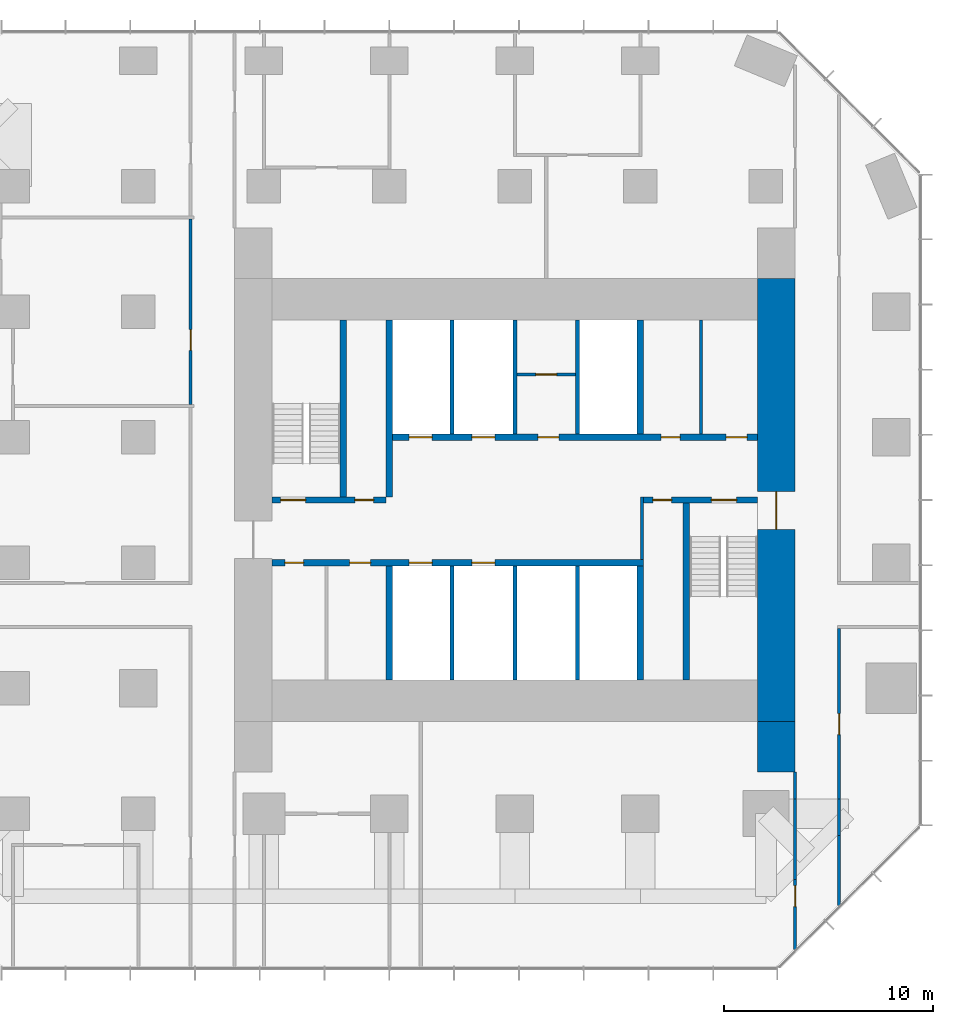
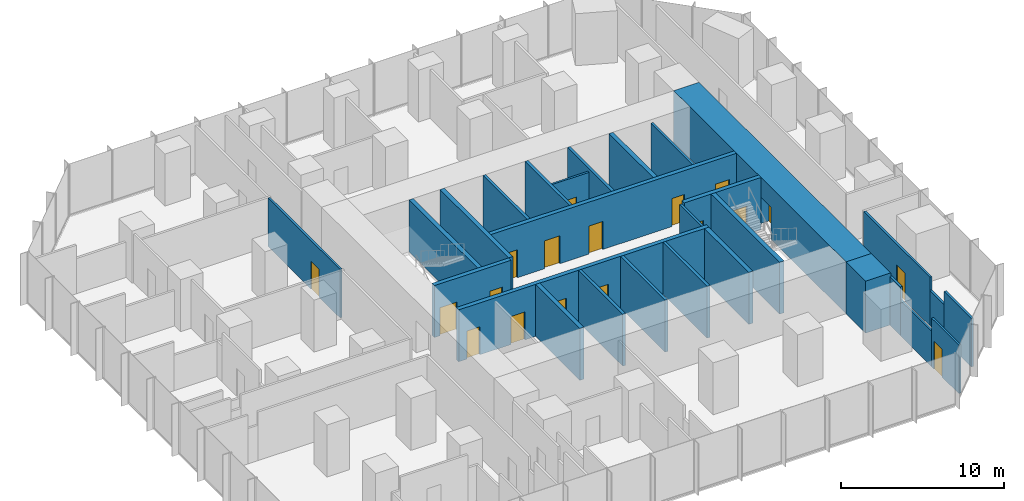
# One storey, part 9 of 11: 28 walls, 18 doors, 18 openings.
"""IFC4 building model written with IfcOpenShell, lengths in metres."""

from ifc_helpers import new_model, si_unit, direction, frame, frame_2d, origin, place, context, subcontext, project, spatial, rectangle, extrude, material, layer, layer_set, type_object, element, fill, save


model = new_model("IFC4")

# Units and contexts
model_context = context("Model", 3, precision=1e-05, world=origin(), true_north=direction((0.0, 1.0)))
body_context = subcontext(model_context, "Body", "Model", "MODEL_VIEW")
ifc_project = project(units=[si_unit("LENGTHUNIT", "METRE"), si_unit("AREAUNIT", "SQUARE_METRE"), si_unit("VOLUMEUNIT", "CUBIC_METRE"), si_unit("PLANEANGLEUNIT", "RADIAN"), si_unit("MASSUNIT", "GRAM", prefix="KILO")], contexts=[model_context])

# Site, building, storey
site_placement = place(None, origin())
site = spatial("IfcSite", under=ifc_project, at=site_placement, CompositionType="ELEMENT")
building_placement = place(site_placement, origin())
building = spatial("IfcBuilding", under=site, at=building_placement, Name="Highveld Stack Headquarters", CompositionType="ELEMENT")
storey_placement = place(building_placement, frame((0.0, 0.0, 132.800048828125)))
storey = spatial("IfcBuildingStorey", under=building, at=storey_placement, Name="L32", CompositionType="ELEMENT", Elevation=132.800048828125)

# Wall, opening, door
ifc_material_1 = material(Name="Concrete C60/75", Category="concrete")
ifc_layer_1 = layer(ifc_material_1, 1.800048828125)
ifc_layer_set_1 = layer_set([ifc_layer_1], Name="Concrete C60/75")
wall_type_1 = type_object("IfcWallType", Name="CORE WALL 1800 C60/75", PredefinedType="SHEAR", material=ifc_layer_set_1)
wall_1_placement = place(storey_placement, frame((18.5, -7.60009765625, 0.0), z_axis=(0.0, 0.0, 1.0), x_axis=(0.0, 1.0, 0.0)))
wall_1 = element("IfcWall", 1, at=wall_1_placement, inside=storey, type_object=wall_type_1, Name="Core wall E L32", PredefinedType="SHEAR", context=body_context, shape_type="SweptSolid", body=[
    extrude(rectangle(XDim=21.2001953125, YDim=1.800048828125, at=frame_2d((10.60009765625, 0.0))), origin(), (0.0, 0.0, 1.0), 3.89990234375),
])
opening_1_placement = place(wall_1_placement, frame((9.199951171875, 0.0, 0.0)))
opening_1 = element("IfcOpeningElement", 2, at=opening_1_placement, cuts=wall_1, Name="Opening L32-02", PredefinedType="OPENING", context=body_context, shape_type="SweptSolid", body=[
    extrude(rectangle(XDim=1.800048828125, YDim=2.39990234375, at=frame_2d((0.89990234375, 1.199951171875))), frame((0.0, 0.909912109375, 0.0), z_axis=(0.0, -1.0, 0.0), x_axis=(1.0, 0.0, 0.0)), (0.0, 0.0, 1.0), 1.820068359375),
])
ifc_material_2 = material(Name="Steel fire door", Category="steel")
door_type_1 = type_object("IfcDoorType", Name="LOBBY FIRE DOOR D4 1800x2400", OperationType="DOUBLE_DOOR_SINGLE_SWING", PredefinedType="DOOR", material=ifc_material_2)
door_1_placement = place(opening_1_placement, origin())
door_1 = element("IfcDoor", 3, at=door_1_placement, inside=storey, type_object=door_type_1, Name="Core east door L32", OperationType="DOUBLE_DOOR_SINGLE_SWING", OverallHeight=2.39990234375, OverallWidth=1.800048828125, PredefinedType="DOOR", context=body_context, shape_type="SweptSolid", body=[
    extrude(rectangle(XDim=1.800048828125, YDim=2.39990234375, at=frame_2d((0.89990234375, 1.199951171875))), frame((0.0, 0.02490234375, 0.0), z_axis=(0.0, -1.0, 0.0), x_axis=(1.0, 0.0, 0.0)), (0.0, 0.0, 1.0), 0.050048828125),
])
fill(opening_1, door_1)

# Wall, openings, doors
ifc_material_3 = material(Name="Concrete C60/75", Category="concrete")
ifc_layer_2 = layer(ifc_material_3, 0.300048828125)
ifc_layer_set_2 = layer_set([ifc_layer_2], Name="Concrete C60/75")
wall_type_2 = type_object("IfcWallType", Name="CORE WALL 300 C60/75", PredefinedType="SHEAR", material=ifc_layer_set_2)
wall_2_placement = place(storey_placement, frame((-5.60009765625, 0.0, 0.0), z_axis=(0.0, 0.0, 1.0), x_axis=(1.0, 0.0, 0.0)))
wall_2 = element("IfcWall", 4, at=wall_2_placement, inside=storey, type_object=wall_type_2, Name="Core wall I-Y0 L32", PredefinedType="SHEAR", context=body_context, shape_type="SweptSolid", body=[
    extrude(rectangle(XDim=17.75, YDim=0.300048828125, at=frame_2d((8.875, 0.0))), origin(), (0.0, 0.0, 1.0), 3.89990234375),
])
opening_2_placement = place(wall_2_placement, frame((0.60009765625, 0.0, 0.0)))
opening_2 = element("IfcOpeningElement", 5, at=opening_2_placement, cuts=wall_2, Name="Opening L32-07", PredefinedType="OPENING", context=body_context, shape_type="SweptSolid", body=[
    extrude(rectangle(XDim=0.89990234375, YDim=2.10009765625, at=frame_2d((0.449951171875, 1.050048828125))), frame((0.0, 0.159912109375, 0.0), z_axis=(0.0, -1.0, 0.0), x_axis=(1.0, 0.0, 0.0)), (0.0, 0.0, 1.0), 0.320068359375),
])
opening_3_placement = place(wall_2_placement, frame((3.699951171875, 0.0, 0.0)))
opening_3 = element("IfcOpeningElement", 6, at=opening_3_placement, cuts=wall_2, Name="Opening L32-08", PredefinedType="OPENING", context=body_context, shape_type="SweptSolid", body=[
    extrude(rectangle(XDim=1.0, YDim=2.10009765625, at=frame_2d((0.5, 1.050048828125))), frame((0.0, 0.159912109375, 0.0), z_axis=(0.0, -1.0, 0.0), x_axis=(1.0, 0.0, 0.0)), (0.0, 0.0, 1.0), 0.320068359375),
])
opening_4_placement = place(wall_2_placement, frame((6.550048828125, 0.0, 0.0)))
opening_4 = element("IfcOpeningElement", 7, at=opening_4_placement, cuts=wall_2, Name="Opening LD", PredefinedType="OPENING", context=body_context, shape_type="SweptSolid", body=[
    extrude(rectangle(XDim=1.10009765625, YDim=2.10009765625, at=frame_2d((0.550048828125, 1.050048828125))), frame((0.0, 0.159912109375, 0.0), z_axis=(0.0, -1.0, 0.0), x_axis=(1.0, 0.0, 0.0)), (0.0, 0.0, 1.0), 0.320068359375),
])
opening_5_placement = place(wall_2_placement, frame((9.550048828125, 0.0, 0.0)))
opening_5 = element("IfcOpeningElement", 8, at=opening_5_placement, cuts=wall_2, Name="Opening LD", PredefinedType="OPENING", context=body_context, shape_type="SweptSolid", body=[
    extrude(rectangle(XDim=1.10009765625, YDim=2.10009765625, at=frame_2d((0.550048828125, 1.050048828125))), frame((0.0, 0.159912109375, 0.0), z_axis=(0.0, -1.0, 0.0), x_axis=(1.0, 0.0, 0.0)), (0.0, 0.0, 1.0), 0.320068359375),
])
ifc_material_4 = material(Name="Steel fire door", Category="steel")
door_type_2 = type_object("IfcDoorType", Name="CORE ROOM FIRE DOOR D14 1000x2100", OperationType="SINGLE_SWING_LEFT", PredefinedType="DOOR", material=ifc_material_4)
door_2_placement = place(opening_3_placement, origin())
door_2 = element("IfcDoor", 9, at=door_2_placement, inside=storey, type_object=door_type_2, Name="Cleaners store door L32", OperationType="SINGLE_SWING_LEFT", OverallHeight=2.10009765625, OverallWidth=1.0, PredefinedType="DOOR", context=body_context, shape_type="SweptSolid", body=[
    extrude(rectangle(XDim=1.0, YDim=2.10009765625, at=frame_2d((0.5, 1.050048828125))), frame((0.0, 0.02490234375, 0.0), z_axis=(0.0, -1.0, 0.0), x_axis=(1.0, 0.0, 0.0)), (0.0, 0.0, 1.0), 0.050048828125),
])
fill(opening_3, door_2)
ifc_material_5 = material(Name="Stainless steel lift landing door", Category="steel")
door_type_3 = type_object("IfcDoorType", Name="LIFT LANDING DOOR LD 1100x2100", OperationType="DOUBLE_DOOR_SLIDING", PredefinedType="USERDEFINED", material=ifc_material_5)
door_3_placement = place(opening_4_placement, origin())
door_3 = element("IfcDoor", 10, at=door_3_placement, inside=storey, type_object=door_type_3, Name="Lift landing door B1 L32", ObjectType="LIFT LANDING DOOR", OperationType="DOUBLE_DOOR_SLIDING", OverallHeight=2.10009765625, OverallWidth=1.10009765625, PredefinedType="USERDEFINED", context=body_context, shape_type="SweptSolid", body=[
    extrude(rectangle(XDim=1.10009765625, YDim=2.10009765625, at=frame_2d((0.550048828125, 1.050048828125))), frame((0.0, 0.02490234375, 0.0), z_axis=(0.0, -1.0, 0.0), x_axis=(1.0, 0.0, 0.0)), (0.0, 0.0, 1.0), 0.050048828125),
])
fill(opening_4, door_3)
door_4_placement = place(opening_5_placement, origin())
door_4 = element("IfcDoor", 11, at=door_4_placement, inside=storey, type_object=door_type_3, Name="Lift landing door B2 L32", ObjectType="LIFT LANDING DOOR", OperationType="DOUBLE_DOOR_SLIDING", OverallHeight=2.10009765625, OverallWidth=1.10009765625, PredefinedType="USERDEFINED", context=body_context, shape_type="SweptSolid", body=[
    extrude(rectangle(XDim=1.10009765625, YDim=2.10009765625, at=frame_2d((0.550048828125, 1.050048828125))), frame((0.0, 0.02490234375, 0.0), z_axis=(0.0, -1.0, 0.0), x_axis=(1.0, 0.0, 0.0)), (0.0, 0.0, 1.0), 0.050048828125),
])
fill(opening_5, door_4)
ifc_material_6 = material(Name="Timber door, painted", Category="wood")
door_type_4 = type_object("IfcDoorType", Name="WC DOOR D1 900x2100", OperationType="SINGLE_SWING_LEFT", PredefinedType="DOOR", material=ifc_material_6)
door_5_placement = place(opening_2_placement, origin())
door_5 = element("IfcDoor", 12, at=door_5_placement, inside=storey, type_object=door_type_4, Name="Female WC door L32", OperationType="SINGLE_SWING_LEFT", OverallHeight=2.10009765625, OverallWidth=0.89990234375, PredefinedType="DOOR", context=body_context, shape_type="SweptSolid", body=[
    extrude(rectangle(XDim=0.89990234375, YDim=2.10009765625, at=frame_2d((0.449951171875, 1.050048828125))), frame((0.0, 0.02490234375, 0.0), z_axis=(0.0, -1.0, 0.0), x_axis=(1.0, 0.0, 0.0)), (0.0, 0.0, 1.0), 0.050048828125),
])
fill(opening_2, door_5)

wall_3_placement = place(storey_placement, frame((-5.60009765625, 3.0, 0.0), z_axis=(0.0, 0.0, 1.0), x_axis=(1.0, 0.0, 0.0)))
wall_3 = element("IfcWall", 13, at=wall_3_placement, inside=storey, type_object=wall_type_2, Name="Core wall I-Y3W L32", PredefinedType="SHEAR", context=body_context, shape_type="SweptSolid", body=[
    extrude(rectangle(XDim=5.4501953125, YDim=0.300048828125, at=frame_2d((2.72509765625, 0.0))), origin(), (0.0, 0.0, 1.0), 3.89990234375),
])
opening_6_placement = place(wall_3_placement, frame((0.39990234375, 0.0, 0.0)))
opening_6 = element("IfcOpeningElement", 14, at=opening_6_placement, cuts=wall_3, Name="Opening L32-03", PredefinedType="OPENING", context=body_context, shape_type="SweptSolid", body=[
    extrude(rectangle(XDim=1.199951171875, YDim=2.10009765625, at=frame_2d((0.60009765625, 1.050048828125))), frame((0.0, 0.159912109375, 0.0), z_axis=(0.0, -1.0, 0.0), x_axis=(1.0, 0.0, 0.0)), (0.0, 0.0, 1.0), 0.320068359375),
])
opening_7_placement = place(wall_3_placement, frame((3.949951171875, 0.0, 0.0)))
opening_7 = element("IfcOpeningElement", 15, at=opening_7_placement, cuts=wall_3, Name="Opening L32-04", PredefinedType="OPENING", context=body_context, shape_type="SweptSolid", body=[
    extrude(rectangle(XDim=0.89990234375, YDim=2.10009765625, at=frame_2d((0.449951171875, 1.050048828125))), frame((0.0, 0.159912109375, 0.0), z_axis=(0.0, -1.0, 0.0), x_axis=(1.0, 0.0, 0.0)), (0.0, 0.0, 1.0), 0.320068359375),
])
ifc_material_7 = material(Name="Steel fire door", Category="steel")
door_type_5 = type_object("IfcDoorType", Name="RISER ACCESS DOOR D5 900x2100", OperationType="SINGLE_SWING_LEFT", PredefinedType="DOOR", material=ifc_material_7)
door_6_placement = place(opening_7_placement, origin())
door_6 = element("IfcDoor", 16, at=door_6_placement, inside=storey, type_object=door_type_5, Name="Riser R1 door L32", OperationType="SINGLE_SWING_RIGHT", OverallHeight=2.10009765625, OverallWidth=0.89990234375, PredefinedType="DOOR", context=body_context, shape_type="SweptSolid", body=[
    extrude(rectangle(XDim=0.89990234375, YDim=2.10009765625, at=frame_2d((0.449951171875, 1.050048828125))), frame((0.0, 0.02490234375, 0.0), z_axis=(0.0, -1.0, 0.0), x_axis=(1.0, 0.0, 0.0)), (0.0, 0.0, 1.0), 0.050048828125),
])
fill(opening_7, door_6)
ifc_material_8 = material(Name="Steel fire door", Category="steel")
door_type_6 = type_object("IfcDoorType", Name="STAIR FIRE DOOR D3 1200x2100", OperationType="SINGLE_SWING_LEFT", PredefinedType="DOOR", material=ifc_material_8)
door_7_placement = place(opening_6_placement, origin())
door_7 = element("IfcDoor", 17, at=door_7_placement, inside=storey, type_object=door_type_6, Name="Stair S1 door L32", OperationType="SINGLE_SWING_LEFT", OverallHeight=2.10009765625, OverallWidth=1.199951171875, PredefinedType="DOOR", context=body_context, shape_type="SweptSolid", body=[
    extrude(rectangle(XDim=1.199951171875, YDim=2.10009765625, at=frame_2d((0.60009765625, 1.050048828125))), frame((0.0, 0.02490234375, 0.0), z_axis=(0.0, -1.0, 0.0), x_axis=(1.0, 0.0, 0.0)), (0.0, 0.0, 1.0), 0.050048828125),
])
fill(opening_6, door_7)

wall_4_placement = place(storey_placement, frame((12.14990234375, 3.0, 0.0), z_axis=(0.0, 0.0, 1.0), x_axis=(1.0, 0.0, 0.0)))
wall_4 = element("IfcWall", 18, at=wall_4_placement, inside=storey, type_object=wall_type_2, Name="Core wall I-Y3E L32", PredefinedType="SHEAR", context=body_context, shape_type="SweptSolid", body=[
    extrude(rectangle(XDim=5.4501953125, YDim=0.300048828125, at=frame_2d((2.72509765625, 0.0))), origin(), (0.0, 0.0, 1.0), 3.89990234375),
])
opening_8_placement = place(wall_4_placement, frame((3.25, 0.0, 0.0)))
opening_8 = element("IfcOpeningElement", 19, at=opening_8_placement, cuts=wall_4, Name="Opening L32-05", PredefinedType="OPENING", context=body_context, shape_type="SweptSolid", body=[
    extrude(rectangle(XDim=1.199951171875, YDim=2.10009765625, at=frame_2d((0.60009765625, 1.050048828125))), frame((0.0, 0.159912109375, 0.0), z_axis=(0.0, -1.0, 0.0), x_axis=(1.0, 0.0, 0.0)), (0.0, 0.0, 1.0), 0.320068359375),
])
opening_9_placement = place(wall_4_placement, frame((0.449951171875, 0.0, 0.0)))
opening_9 = element("IfcOpeningElement", 20, at=opening_9_placement, cuts=wall_4, Name="Opening L32-06", PredefinedType="OPENING", context=body_context, shape_type="SweptSolid", body=[
    extrude(rectangle(XDim=0.89990234375, YDim=2.10009765625, at=frame_2d((0.449951171875, 1.050048828125))), frame((0.0, 0.159912109375, 0.0), z_axis=(0.0, -1.0, 0.0), x_axis=(1.0, 0.0, 0.0)), (0.0, 0.0, 1.0), 0.320068359375),
])
door_8_placement = place(opening_9_placement, origin())
door_8 = element("IfcDoor", 21, at=door_8_placement, inside=storey, type_object=door_type_5, Name="Riser R2 door L32", OperationType="SINGLE_SWING_LEFT", OverallHeight=2.10009765625, OverallWidth=0.89990234375, PredefinedType="DOOR", context=body_context, shape_type="SweptSolid", body=[
    extrude(rectangle(XDim=0.89990234375, YDim=2.10009765625, at=frame_2d((0.449951171875, 1.050048828125))), frame((0.0, 0.02490234375, 0.0), z_axis=(0.0, -1.0, 0.0), x_axis=(1.0, 0.0, 0.0)), (0.0, 0.0, 1.0), 0.050048828125),
])
fill(opening_9, door_8)
door_9_placement = place(opening_8_placement, origin())
door_9 = element("IfcDoor", 22, at=door_9_placement, inside=storey, type_object=door_type_6, Name="Stair S2 door L32", OperationType="SINGLE_SWING_RIGHT", OverallHeight=2.10009765625, OverallWidth=1.199951171875, PredefinedType="DOOR", context=body_context, shape_type="SweptSolid", body=[
    extrude(rectangle(XDim=1.199951171875, YDim=2.10009765625, at=frame_2d((0.60009765625, 1.050048828125))), frame((0.0, 0.02490234375, 0.0), z_axis=(0.0, -1.0, 0.0), x_axis=(1.0, 0.0, 0.0)), (0.0, 0.0, 1.0), 0.050048828125),
])
fill(opening_8, door_9)

wall_5_placement = place(storey_placement, frame((-0.14990234375, 6.0, 0.0), z_axis=(0.0, 0.0, 1.0), x_axis=(1.0, 0.0, 0.0)))
wall_5 = element("IfcWall", 23, at=wall_5_placement, inside=storey, type_object=wall_type_2, Name="Core wall I-Y6 L32", PredefinedType="SHEAR", context=body_context, shape_type="SweptSolid", body=[
    extrude(rectangle(XDim=17.75, YDim=0.300048828125, at=frame_2d((8.875, 0.0))), origin(), (0.0, 0.0, 1.0), 3.89990234375),
])
opening_10_placement = place(wall_5_placement, frame((13.14990234375, 0.0, 0.0)))
opening_10 = element("IfcOpeningElement", 24, at=opening_10_placement, cuts=wall_5, Name="Opening L32-09", PredefinedType="OPENING", context=body_context, shape_type="SweptSolid", body=[
    extrude(rectangle(XDim=0.89990234375, YDim=2.10009765625, at=frame_2d((0.449951171875, 1.050048828125))), frame((0.0, 0.159912109375, 0.0), z_axis=(0.0, -1.0, 0.0), x_axis=(1.0, 0.0, 0.0)), (0.0, 0.0, 1.0), 0.320068359375),
])
opening_11_placement = place(wall_5_placement, frame((16.25, 0.0, 0.0)))
opening_11 = element("IfcOpeningElement", 25, at=opening_11_placement, cuts=wall_5, Name="Opening L32-10", PredefinedType="OPENING", context=body_context, shape_type="SweptSolid", body=[
    extrude(rectangle(XDim=1.0, YDim=2.10009765625, at=frame_2d((0.5, 1.050048828125))), frame((0.0, 0.159912109375, 0.0), z_axis=(0.0, -1.0, 0.0), x_axis=(1.0, 0.0, 0.0)), (0.0, 0.0, 1.0), 0.320068359375),
])
opening_12_placement = place(wall_5_placement, frame((7.25, 0.0, 0.0)))
opening_12 = element("IfcOpeningElement", 26, at=opening_12_placement, cuts=wall_5, Name="Opening L32-12", PredefinedType="OPENING", context=body_context, shape_type="SweptSolid", body=[
    extrude(rectangle(XDim=1.0, YDim=2.10009765625, at=frame_2d((0.5, 1.050048828125))), frame((0.0, 0.159912109375, 0.0), z_axis=(0.0, -1.0, 0.0), x_axis=(1.0, 0.0, 0.0)), (0.0, 0.0, 1.0), 0.320068359375),
])
opening_13_placement = place(wall_5_placement, frame((1.10009765625, 0.0, 0.0)))
opening_13 = element("IfcOpeningElement", 27, at=opening_13_placement, cuts=wall_5, Name="Opening LD", PredefinedType="OPENING", context=body_context, shape_type="SweptSolid", body=[
    extrude(rectangle(XDim=1.10009765625, YDim=2.10009765625, at=frame_2d((0.550048828125, 1.050048828125))), frame((0.0, 0.159912109375, 0.0), z_axis=(0.0, -1.0, 0.0), x_axis=(1.0, 0.0, 0.0)), (0.0, 0.0, 1.0), 0.320068359375),
])
opening_14_placement = place(wall_5_placement, frame((4.10009765625, 0.0, 0.0)))
opening_14 = element("IfcOpeningElement", 28, at=opening_14_placement, cuts=wall_5, Name="Opening LD", PredefinedType="OPENING", context=body_context, shape_type="SweptSolid", body=[
    extrude(rectangle(XDim=1.10009765625, YDim=2.10009765625, at=frame_2d((0.550048828125, 1.050048828125))), frame((0.0, 0.159912109375, 0.0), z_axis=(0.0, -1.0, 0.0), x_axis=(1.0, 0.0, 0.0)), (0.0, 0.0, 1.0), 0.320068359375),
])
ifc_material_9 = material(Name="Timber door, painted", Category="wood")
door_type_7 = type_object("IfcDoorType", Name="ACCESSIBLE WC DOOR D2 1000x2100", OperationType="SINGLE_SWING_RIGHT", PredefinedType="DOOR", material=ifc_material_9)
door_10_placement = place(opening_11_placement, origin())
door_10 = element("IfcDoor", 29, at=door_10_placement, inside=storey, type_object=door_type_7, Name="Accessible WC door L32", OperationType="SINGLE_SWING_RIGHT", OverallHeight=2.10009765625, OverallWidth=1.0, PredefinedType="DOOR", context=body_context, shape_type="SweptSolid", body=[
    extrude(rectangle(XDim=1.0, YDim=2.10009765625, at=frame_2d((0.5, 1.050048828125))), frame((0.0, 0.02490234375, 0.0), z_axis=(0.0, -1.0, 0.0), x_axis=(1.0, 0.0, 0.0)), (0.0, 0.0, 1.0), 0.050048828125),
])
fill(opening_11, door_10)
door_11_placement = place(opening_12_placement, origin())
door_11 = element("IfcDoor", 30, at=door_11_placement, inside=storey, type_object=door_type_2, Name="Capped A 1 door L32", OperationType="SINGLE_SWING_LEFT", OverallHeight=2.10009765625, OverallWidth=1.0, PredefinedType="DOOR", context=body_context, shape_type="SweptSolid", body=[
    extrude(rectangle(XDim=1.0, YDim=2.10009765625, at=frame_2d((0.5, 1.050048828125))), frame((0.0, 0.02490234375, 0.0), z_axis=(0.0, -1.0, 0.0), x_axis=(1.0, 0.0, 0.0)), (0.0, 0.0, 1.0), 0.050048828125),
])
fill(opening_12, door_11)
door_12_placement = place(opening_13_placement, origin())
door_12 = element("IfcDoor", 31, at=door_12_placement, inside=storey, type_object=door_type_3, Name="Lift landing door FF1 L32", ObjectType="LIFT LANDING DOOR", OperationType="DOUBLE_DOOR_SLIDING", OverallHeight=2.10009765625, OverallWidth=1.10009765625, PredefinedType="USERDEFINED", context=body_context, shape_type="SweptSolid", body=[
    extrude(rectangle(XDim=1.10009765625, YDim=2.10009765625, at=frame_2d((0.550048828125, 1.050048828125))), frame((0.0, 0.02490234375, 0.0), z_axis=(0.0, -1.0, 0.0), x_axis=(1.0, 0.0, 0.0)), (0.0, 0.0, 1.0), 0.050048828125),
])
fill(opening_13, door_12)
door_13_placement = place(opening_14_placement, origin())
door_13 = element("IfcDoor", 32, at=door_13_placement, inside=storey, type_object=door_type_3, Name="Lift landing door FF2 L32", ObjectType="LIFT LANDING DOOR", OperationType="DOUBLE_DOOR_SLIDING", OverallHeight=2.10009765625, OverallWidth=1.10009765625, PredefinedType="USERDEFINED", context=body_context, shape_type="SweptSolid", body=[
    extrude(rectangle(XDim=1.10009765625, YDim=2.10009765625, at=frame_2d((0.550048828125, 1.050048828125))), frame((0.0, 0.02490234375, 0.0), z_axis=(0.0, -1.0, 0.0), x_axis=(1.0, 0.0, 0.0)), (0.0, 0.0, 1.0), 0.050048828125),
])
fill(opening_14, door_13)
door_14_placement = place(opening_10_placement, origin())
door_14 = element("IfcDoor", 33, at=door_14_placement, inside=storey, type_object=door_type_4, Name="Male WC door L32", OperationType="SINGLE_SWING_RIGHT", OverallHeight=2.10009765625, OverallWidth=0.89990234375, PredefinedType="DOOR", context=body_context, shape_type="SweptSolid", body=[
    extrude(rectangle(XDim=0.89990234375, YDim=2.10009765625, at=frame_2d((0.449951171875, 1.050048828125))), frame((0.0, 0.02490234375, 0.0), z_axis=(0.0, -1.0, 0.0), x_axis=(1.0, 0.0, 0.0)), (0.0, 0.0, 1.0), 0.050048828125),
])
fill(opening_10, door_14)

# Walls
wall_6_placement = place(storey_placement, frame((0.0, -5.60009765625, 0.0), z_axis=(0.0, 0.0, 1.0), x_axis=(0.0, 1.0, 0.0)))
element("IfcWall", 34, at=wall_6_placement, inside=storey, type_object=wall_type_2, Name="Core wall I-X0S L32", PredefinedType="SHEAR", context=body_context, shape_type="SweptSolid", body=[
    extrude(rectangle(XDim=5.4501953125, YDim=0.300048828125, at=frame_2d((2.72509765625, 0.0))), origin(), (0.0, 0.0, 1.0), 3.89990234375),
])
wall_7_placement = place(storey_placement, frame((0.0, 3.14990234375, 0.0), z_axis=(0.0, 0.0, 1.0), x_axis=(0.0, 1.0, 0.0)))
element("IfcWall", 35, at=wall_7_placement, inside=storey, type_object=wall_type_2, Name="Core wall I-X0N L32", PredefinedType="SHEAR", context=body_context, shape_type="SweptSolid", body=[
    extrude(rectangle(XDim=8.4501953125, YDim=0.300048828125, at=frame_2d((4.22509765625, 0.0))), origin(), (0.0, 0.0, 1.0), 3.89990234375),
])
for number, where, z_axis, x_axis, name in (
    (36, (12.0, -5.60009765625, 0.0), (0.0, 0.0, 1.0), (0.0, 1.0, 0.0), "Core wall I-X12S L32"),
    (37, (12.0, 6.14990234375, 0.0), (0.0, 0.0, 1.0), (0.0, 1.0, 0.0), "Core wall I-X12N L32"),
):
    element("IfcWall", number, at=place(storey_placement, frame(where, z_axis=z_axis, x_axis=x_axis)), inside=storey, type_object=wall_type_2, Name=name, PredefinedType="SHEAR", context=body_context, shape_type="SweptSolid", body=[
        extrude(rectangle(XDim=5.4501953125, YDim=0.300048828125, at=frame_2d((2.72509765625, 0.0))), origin(), (0.0, 0.0, 1.0), 3.89990234375),
    ])
for number, where, z_axis, x_axis, name in (
    (38, (-2.199951171875, 3.14990234375, 0.0), (0.0, 0.0, 1.0), (0.0, 1.0, 0.0), "Core wall I-RW L32"),
    (39, (14.199951171875, -5.60009765625, 0.0), (0.0, 0.0, 1.0), (0.0, 1.0, 0.0), "Core wall I-RE L32"),
):
    element("IfcWall", number, at=place(storey_placement, frame(where, z_axis=z_axis, x_axis=x_axis)), inside=storey, type_object=wall_type_2, Name=name, PredefinedType="SHEAR", context=body_context, shape_type="SweptSolid", body=[
        extrude(rectangle(XDim=8.4501953125, YDim=0.300048828125, at=frame_2d((4.22509765625, 0.0))), origin(), (0.0, 0.0, 1.0), 3.89990234375),
    ])
ifc_material_10 = material(Name="Concrete C60/75", Category="concrete")
ifc_layer_3 = layer(ifc_material_10, 1.800048828125)
ifc_layer_set_3 = layer_set([ifc_layer_3], Name="Concrete C60/75")
wall_type_3 = type_object("IfcWallType", Name="CORE WING WALL 1800 C60/75", PredefinedType="SHEAR", material=ifc_layer_set_3)
wall_8_placement = place(storey_placement, frame((18.5, -10.0, 0.0), z_axis=(0.0, 0.0, 1.0), x_axis=(0.0, 1.0, 0.0)))
element("IfcWall", 40, at=wall_8_placement, inside=storey, type_object=wall_type_3, Name="Core wing wall ES L32", PredefinedType="SHEAR", context=body_context, shape_type="SweptSolid", body=[
    extrude(rectangle(XDim=2.39990234375, YDim=1.800048828125, at=frame_2d((1.199951171875, 0.0))), origin(), (0.0, 0.0, 1.0), 3.89990234375),
])

# Wall, opening, door
ifc_material_11 = material(Name="Concrete blockwork, plastered", Category="masonry")
ifc_layer_4 = layer(ifc_material_11, 0.14990234375)
ifc_layer_set_4 = layer_set([ifc_layer_4], Name="Concrete blockwork, plastered")
wall_type_4 = type_object("IfcWallType", Name="FIRE PARTITION 150 BLOCKWORK", PredefinedType="PARTITIONING", material=ifc_layer_set_4)
wall_9_placement = place(storey_placement, frame((6.10009765625, 9.0, 0.0), z_axis=(0.0, 0.0, 1.0), x_axis=(1.0, 0.0, 0.0)))
wall_9 = element("IfcWall", 41, at=wall_9_placement, inside=storey, type_object=wall_type_4, Name="Core room partition L32", PredefinedType="PARTITIONING", context=body_context, shape_type="SweptSolid", body=[
    extrude(rectangle(XDim=2.7998046875, YDim=0.14990234375, at=frame_2d((1.39990234375, 0.0))), origin(), (0.0, 0.0, 1.0), 3.64990234375),
])
opening_15_placement = place(wall_9_placement, frame((0.89990234375, 0.0, 0.0)))
opening_15 = element("IfcOpeningElement", 42, at=opening_15_placement, cuts=wall_9, Name="Opening L32-11", PredefinedType="OPENING", context=body_context, shape_type="SweptSolid", body=[
    extrude(rectangle(XDim=1.0, YDim=2.10009765625, at=frame_2d((0.5, 1.050048828125))), frame((0.0, 0.0849609375, 0.0), z_axis=(0.0, -1.0, 0.0), x_axis=(1.0, 0.0, 0.0)), (0.0, 0.0, 1.0), 0.169921875),
])
door_15_placement = place(opening_15_placement, origin())
door_15 = element("IfcDoor", 43, at=door_15_placement, inside=storey, type_object=door_type_2, Name="Capped A 2 door L32", OperationType="SINGLE_SWING_LEFT", OverallHeight=2.10009765625, OverallWidth=1.0, PredefinedType="DOOR", context=body_context, shape_type="SweptSolid", body=[
    extrude(rectangle(XDim=1.0, YDim=2.10009765625, at=frame_2d((0.5, 1.050048828125))), frame((0.0, 0.02490234375, 0.0), z_axis=(0.0, -1.0, 0.0), x_axis=(1.0, 0.0, 0.0)), (0.0, 0.0, 1.0), 0.050048828125),
])
fill(opening_15, door_15)

# Walls
wall_10_placement = place(storey_placement, frame((12.074951171875, 0.14990234375, 0.0), z_axis=(0.0, 0.0, 1.0), x_axis=(0.0, 1.0, 0.0)))
element("IfcWall", 44, at=wall_10_placement, inside=storey, type_object=wall_type_4, Name="Riser R2 enclosure L32", PredefinedType="PARTITIONING", context=body_context, shape_type="SweptSolid", body=[
    extrude(rectangle(XDim=3.0, YDim=0.14990234375, at=frame_2d((1.5, 0.0))), origin(), (0.0, 0.0, 1.0), 3.64990234375),
])
ifc_material_12 = material(Name="Concrete blockwork, fair-faced", Category="masonry")
ifc_layer_5 = layer(ifc_material_12, 0.199951171875)
ifc_layer_set_5 = layer_set([ifc_layer_5], Name="Concrete blockwork, fair-faced")
wall_type_5 = type_object("IfcWallType", Name="LIFT SHAFT ENCLOSURE WALL 200 BLOCKWORK", PredefinedType="SOLIDWALL", material=ifc_layer_set_5)
for number, where, z_axis, x_axis, name in (
    (45, (3.0, 6.14990234375, 0.0), (0.0, 0.0, 1.0), (0.0, 1.0, 0.0), "Lift shaft wall L32"),
    (46, (6.0, 6.14990234375, 0.0), (0.0, 0.0, 1.0), (0.0, 1.0, 0.0), "Lift shaft wall L32"),
    (47, (9.0, 6.14990234375, 0.0), (0.0, 0.0, 1.0), (0.0, 1.0, 0.0), "Lift shaft wall L32"),
    (48, (3.0, -5.60009765625, 0.0), (0.0, 0.0, 1.0), (0.0, 1.0, 0.0), "Lift shaft wall L32"),
    (49, (6.0, -5.60009765625, 0.0), (0.0, 0.0, 1.0), (0.0, 1.0, 0.0), "Lift shaft wall L32"),
    (50, (9.0, -5.60009765625, 0.0), (0.0, 0.0, 1.0), (0.0, 1.0, 0.0), "Lift shaft wall L32"),
):
    element("IfcWall", number, at=place(storey_placement, frame(where, z_axis=z_axis, x_axis=x_axis)), inside=storey, type_object=wall_type_5, Name=name, PredefinedType="SOLIDWALL", context=body_context, shape_type="SweptSolid", body=[
        extrude(rectangle(XDim=5.4501953125, YDim=0.199951171875, at=frame_2d((2.72509765625, 0.0))), origin(), (0.0, 0.0, 1.0), 3.89990234375),
    ])

# Wall, opening, door
ifc_material_13 = material(Name="Gypsum plasterboard on steel studs", Category="steel")
ifc_layer_6 = layer(ifc_material_13, 0.14990234375)
ifc_layer_set_6 = layer_set([ifc_layer_6], Name="Gypsum plasterboard on steel studs")
wall_type_6 = type_object("IfcWallType", Name="PARTITION 150 PLASTERBOARD", PredefinedType="PARTITIONING", material=ifc_layer_set_6)
wall_11_placement = place(storey_placement, frame((-9.5, 7.574951171875, 0.0), z_axis=(0.0, 0.0, 1.0), x_axis=(0.0, 1.0, 0.0)))
wall_11 = element("IfcWall", 51, at=wall_11_placement, inside=storey, type_object=wall_type_6, Name="Partition office neighbourhood L32", PredefinedType="PARTITIONING", context=body_context, shape_type="SweptSolid", body=[
    extrude(rectangle(XDim=8.85009765625, YDim=0.14990234375, at=frame_2d((4.425048828125, 0.0))), origin(), (0.0, 0.0, 1.0), 3.64990234375),
])
opening_16_placement = place(wall_11_placement, frame((2.574951171875, 0.0, 0.0)))
opening_16 = element("IfcOpeningElement", 52, at=opening_16_placement, cuts=wall_11, Name="Opening L32-26", PredefinedType="OPENING", context=body_context, shape_type="SweptSolid", body=[
    extrude(rectangle(XDim=1.0, YDim=2.10009765625, at=frame_2d((0.5, 1.050048828125))), frame((0.0, 0.0849609375, 0.0), z_axis=(0.0, -1.0, 0.0), x_axis=(1.0, 0.0, 0.0)), (0.0, 0.0, 1.0), 0.169921875),
])
ifc_material_14 = material(Name="Timber door, oiled ash", Category="wood")
door_type_8 = type_object("IfcDoorType", Name="ROOM DOOR D6 1000x2100", OperationType="SINGLE_SWING_LEFT", PredefinedType="DOOR", material=ifc_material_14)
door_16_placement = place(opening_16_placement, origin())
door_16 = element("IfcDoor", 53, at=door_16_placement, inside=storey, type_object=door_type_8, Name="Office neighbourhood door L32", OperationType="SINGLE_SWING_LEFT", OverallHeight=2.10009765625, OverallWidth=1.0, PredefinedType="DOOR", context=body_context, shape_type="SweptSolid", body=[
    extrude(rectangle(XDim=1.0, YDim=2.10009765625, at=frame_2d((0.5, 1.050048828125))), frame((0.0, 0.02490234375, 0.0), z_axis=(0.0, -1.0, 0.0), x_axis=(1.0, 0.0, 0.0)), (0.0, 0.0, 1.0), 0.050048828125),
])
fill(opening_16, door_16)

wall_12_placement = place(storey_placement, frame((19.39990234375, -18.489013671875, 0.0), z_axis=(0.0, 0.0, 1.0), x_axis=(0.0, 1.0, 0.0)))
wall_12 = element("IfcWall", 54, at=wall_12_placement, inside=storey, type_object=wall_type_6, Name="Partition office neighbourhood L32", PredefinedType="PARTITIONING", context=body_context, shape_type="SweptSolid", body=[
    extrude(rectangle(XDim=3.34912109375, YDim=0.14990234375, at=frame_2d((1.674560546875, 0.0))), origin(), (0.0, 0.0, 1.0), 3.64990234375),
])
opening_17_placement = place(wall_12_placement, frame((2.049072265625, 0.0, 0.0)))
opening_17 = element("IfcOpeningElement", 55, at=opening_17_placement, cuts=wall_12, Name="Opening L32-20", PredefinedType="OPENING", context=body_context, shape_type="SweptSolid", body=[
    extrude(rectangle(XDim=1.0, YDim=2.10009765625, at=frame_2d((0.5, 1.050048828125))), frame((0.0, 0.0849609375, 0.0), z_axis=(0.0, -1.0, 0.0), x_axis=(1.0, 0.0, 0.0)), (0.0, 0.0, 1.0), 0.169921875),
])
door_17_placement = place(opening_17_placement, origin())
door_17 = element("IfcDoor", 56, at=door_17_placement, inside=storey, type_object=door_type_8, Name="Office neighbourhood door L32", OperationType="SINGLE_SWING_RIGHT", OverallHeight=2.10009765625, OverallWidth=1.0, PredefinedType="DOOR", context=body_context, shape_type="SweptSolid", body=[
    extrude(rectangle(XDim=1.0, YDim=2.10009765625, at=frame_2d((0.5, 1.050048828125))), frame((0.0, 0.02490234375, 0.0), z_axis=(0.0, -1.0, 0.0), x_axis=(1.0, 0.0, 0.0)), (0.0, 0.0, 1.0), 0.050048828125),
])
fill(opening_17, door_17)

# Walls
wall_13_placement = place(storey_placement, frame((19.39990234375, -15.139892578125, 0.0), z_axis=(0.0, 0.0, 1.0), x_axis=(0.0, 1.0, 0.0)))
element("IfcWall", 57, at=wall_13_placement, inside=storey, type_object=wall_type_6, Name="Partition office neighbourhood L32", PredefinedType="PARTITIONING", context=body_context, shape_type="SweptSolid", body=[
    extrude(rectangle(XDim=3.849853515625, YDim=0.14990234375, at=frame_2d((1.9248046875, 0.0))), origin(), (0.0, 0.0, 1.0), 2.64990234375),
])
wall_14_placement = place(storey_placement, frame((19.39990234375, -11.2900390625, 0.0), z_axis=(0.0, 0.0, 1.0), x_axis=(0.0, 1.0, 0.0)))
element("IfcWall", 58, at=wall_14_placement, inside=storey, type_object=wall_type_6, Name="Partition office neighbourhood L32", PredefinedType="PARTITIONING", context=body_context, shape_type="SweptSolid", body=[
    extrude(rectangle(XDim=1.2900390625, YDim=0.14990234375, at=frame_2d((0.64501953125, 0.0))), origin(), (0.0, 0.0, 1.0), 3.64990234375),
])
wall_15_placement = place(storey_placement, frame((21.5, -16.387939453125, 0.0), z_axis=(0.0, 0.0, 1.0), x_axis=(0.0, 1.0, 0.0)))
element("IfcWall", 59, at=wall_15_placement, inside=storey, type_object=wall_type_6, Name="Partition office neighbourhood L32", PredefinedType="PARTITIONING", context=body_context, shape_type="SweptSolid", body=[
    extrude(rectangle(XDim=3.347900390625, YDim=0.14990234375, at=frame_2d((1.673828125, 0.0))), origin(), (0.0, 0.0, 1.0), 3.64990234375),
])
wall_16_placement = place(storey_placement, frame((21.5, -13.0400390625, 0.0), z_axis=(0.0, 0.0, 1.0), x_axis=(0.0, 1.0, 0.0)))
element("IfcWall", 60, at=wall_16_placement, inside=storey, type_object=wall_type_6, Name="Partition office neighbourhood L32", PredefinedType="PARTITIONING", context=body_context, shape_type="SweptSolid", body=[
    extrude(rectangle(XDim=1.75, YDim=0.14990234375, at=frame_2d((0.875, 0.0))), origin(), (0.0, 0.0, 1.0), 2.64990234375),
])

# Wall, opening, door
wall_17_placement = place(storey_placement, frame((21.5, -11.2900390625, 0.0), z_axis=(0.0, 0.0, 1.0), x_axis=(0.0, 1.0, 0.0)))
wall_17 = element("IfcWall", 61, at=wall_17_placement, inside=storey, type_object=wall_type_6, Name="Partition office neighbourhood L32", PredefinedType="PARTITIONING", context=body_context, shape_type="SweptSolid", body=[
    extrude(rectangle(XDim=8.14013671875, YDim=0.14990234375, at=frame_2d((4.070068359375, 0.0))), origin(), (0.0, 0.0, 1.0), 3.64990234375),
])
opening_18_placement = place(wall_17_placement, frame((3.073974609375, 0.0, 0.0)))
opening_18 = element("IfcOpeningElement", 62, at=opening_18_placement, cuts=wall_17, Name="Opening L32-23", PredefinedType="OPENING", context=body_context, shape_type="SweptSolid", body=[
    extrude(rectangle(XDim=1.0, YDim=2.10009765625, at=frame_2d((0.5, 1.050048828125))), frame((0.0, 0.0849609375, 0.0), z_axis=(0.0, -1.0, 0.0), x_axis=(1.0, 0.0, 0.0)), (0.0, 0.0, 1.0), 0.169921875),
])
door_18_placement = place(opening_18_placement, origin())
door_18 = element("IfcDoor", 63, at=door_18_placement, inside=storey, type_object=door_type_8, Name="Office neighbourhood door L32", OperationType="SINGLE_SWING_LEFT", OverallHeight=2.10009765625, OverallWidth=1.0, PredefinedType="DOOR", context=body_context, shape_type="SweptSolid", body=[
    extrude(rectangle(XDim=1.0, YDim=2.10009765625, at=frame_2d((0.5, 1.050048828125))), frame((0.0, 0.02490234375, 0.0), z_axis=(0.0, -1.0, 0.0), x_axis=(1.0, 0.0, 0.0)), (0.0, 0.0, 1.0), 0.050048828125),
])
fill(opening_18, door_18)

# Wall
ifc_material_15 = material(Name="Concrete blockwork, tiled", Category="masonry")
ifc_layer_7 = layer(ifc_material_15, 0.14990234375)
ifc_layer_set_7 = layer_set([ifc_layer_7], Name="Concrete blockwork, tiled")
wall_type_7 = type_object("IfcWallType", Name="WC PARTITION 150", PredefinedType="PLUMBINGWALL", material=ifc_layer_set_7)
wall_18_placement = place(storey_placement, frame((14.89990234375, 6.14990234375, 0.0), z_axis=(0.0, 0.0, 1.0), x_axis=(0.0, 1.0, 0.0)))
element("IfcWall", 64, at=wall_18_placement, inside=storey, type_object=wall_type_7, Name="Toilet partition L32", PredefinedType="PLUMBINGWALL", context=body_context, shape_type="SweptSolid", body=[
    extrude(rectangle(XDim=5.4501953125, YDim=0.14990234375, at=frame_2d((2.72509765625, 0.0))), origin(), (0.0, 0.0, 1.0), 3.64990234375),
])

save(model, "model.ifc")
